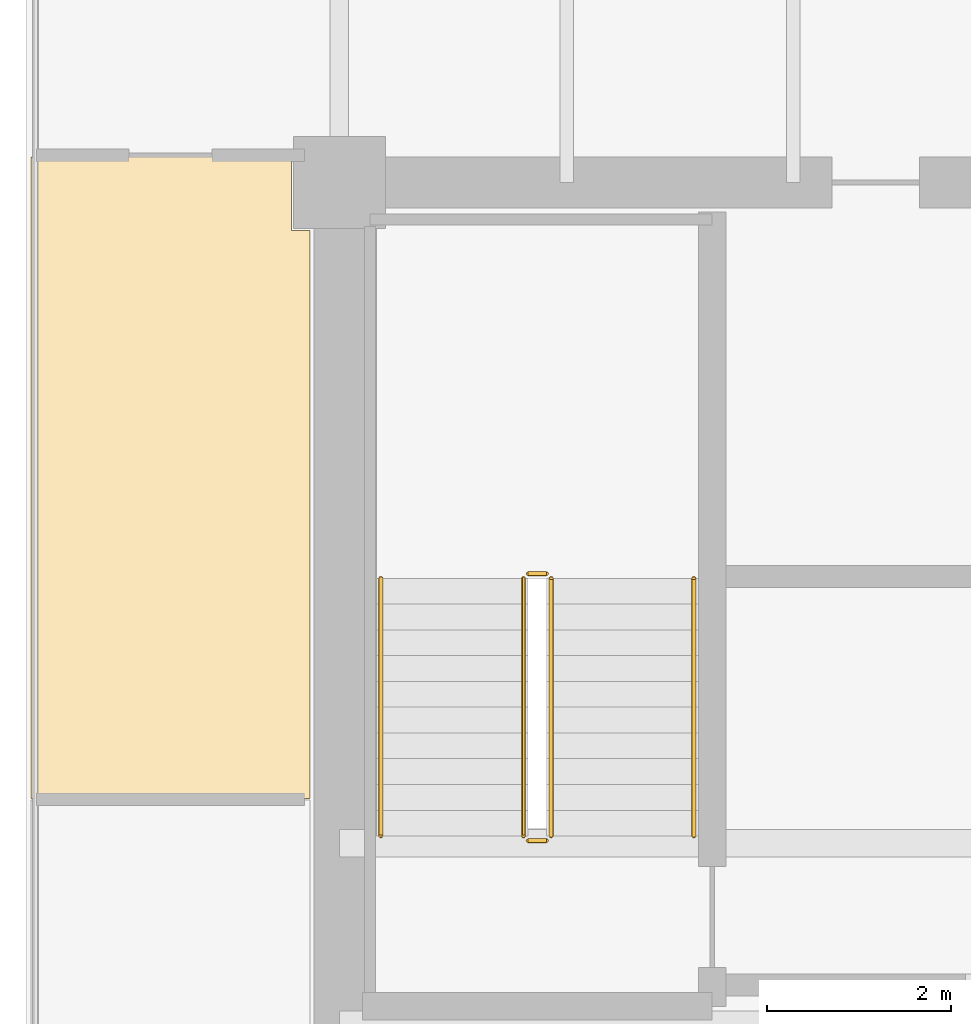
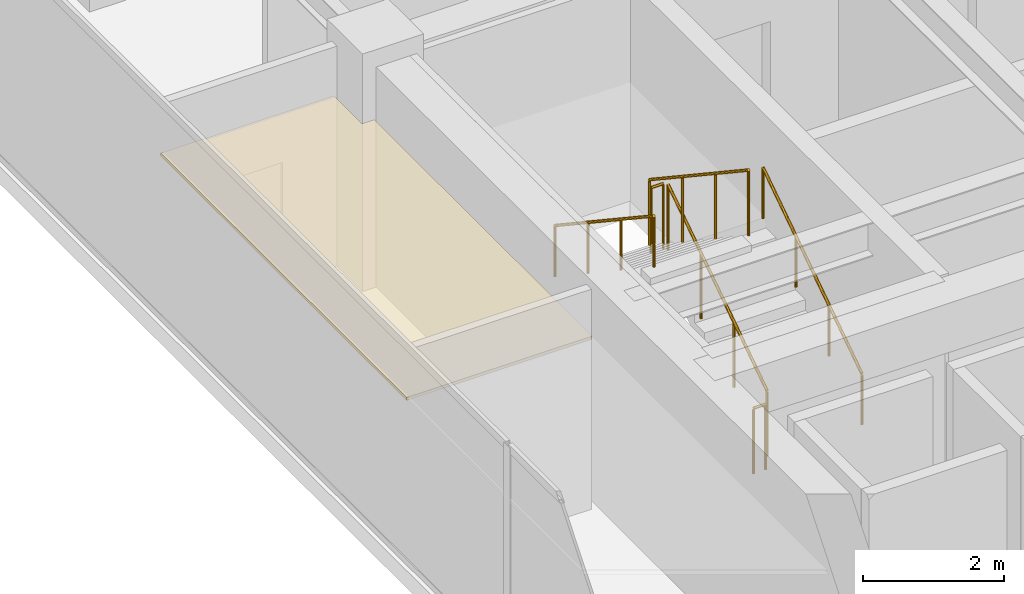
# One storey, part 33 of 35: 6 railings, 1 covering.
"""IFC4 building model written with IfcOpenShell, lengths in metres."""

from ifc_helpers import new_model, si_unit, direction, frame, origin, origin_2d, place, context, subcontext, project, spatial, polyline, circle, outline, extrude, source, transform, mapped, material, layer, layer_set, type_object, type_shapes, element, save


model = new_model("IFC4")

# Units and contexts
model_context = context("Model", 3, precision=1e-05, world=origin(), true_north=direction((0.0, 1.0)))
body_context = subcontext(model_context, "Body", "Model", "MODEL_VIEW")
ifc_project = project(units=[si_unit("LENGTHUNIT", "METRE"), si_unit("AREAUNIT", "SQUARE_METRE"), si_unit("VOLUMEUNIT", "CUBIC_METRE"), si_unit("PLANEANGLEUNIT", "RADIAN"), si_unit("MASSUNIT", "GRAM", prefix="KILO")], contexts=[model_context])

# Site, building, storey
site_placement = place(None, origin())
site = spatial("IfcSite", under=ifc_project, at=site_placement, CompositionType="ELEMENT")
building_placement = place(site_placement, origin())
building = spatial("IfcBuilding", under=site, at=building_placement, Name="Haelvirn Gate Laboratories", CompositionType="ELEMENT")
storey_placement = place(building_placement, frame((0.0, 0.0, 221.89990234375)))
storey = spatial("IfcBuildingStorey", under=building, at=storey_placement, Name="L53", CompositionType="ELEMENT", Elevation=221.89990234375)

# Covering
ifc_material_1 = material(Name="Washable cleanroom gasketed aluminium ceiling", Category="aluminium")
ifc_layer = layer(ifc_material_1, 0.050048828125, Name="COV-CEIL-CLN")
ifc_layer_set = layer_set([ifc_layer], Name="Washable cleanroom gasketed aluminium ceiling")
covering_type = type_object("IfcCoveringType", Name="COV-CEIL-CLN", PredefinedType="CEILING", material=ifc_layer_set)
covering_placement = place(storey_placement, frame((0.0, 0.0, 2.8701171875)))
element("IfcCovering", 1, at=covering_placement, inside=storey, type_object=covering_type, Name="L53 Laboratory Acoustic Ceiling CEIL-SP-L53-WZ3-N", PredefinedType="CEILING", context=body_context, shape_type="SweptSolid", body=[
    extrude(outline(polyline([(6.8798828125, 34.074951171875), (6.8798828125, 33.280029296875), (7.080078125, 33.280029296875), (7.080078125, 27.110107421875), (4.050048828125, 27.110107421875), (4.050048828125, 34.074951171875), (6.8798828125, 34.074951171875)])), origin(), (0.0, 0.0, 1.0), 0.050048828125),
])

# Railings
ifc_material_2 = material(Name="Galvanised steel SM355 & stainless top rail", Category="steel")
railing_type_1 = type_object("IfcRailingType", Name="RL-GUARD-1150", PredefinedType="GUARDRAIL", material=ifc_material_2)
shared_shape_1 = source(origin(), body_context, "Body", "SweptSolid", [
    extrude(circle(Radius=0.02392578125, at=origin_2d()), frame((0.0, 0.0, 1.1259765625), z_axis=(-1.0, 0.0, 0.0), x_axis=(0.0, -1.0, 0.0)), (0.0, 0.0, 1.0), 0.199951171875),
    extrude(circle(Radius=0.02099609375, at=origin_2d()), origin(), (0.0, 0.0, 1.0), 1.101806640625),
    extrude(circle(Radius=0.02099609375, at=origin_2d()), frame((-0.199951171875, 0.0, 0.0)), (0.0, 0.0, 1.0), 1.101806640625),
])
for number, where, name in (
    (2, (9.64990234375, 29.550048828125, 2.050048828125), "L53 ST1 stair guard 2"),
    (3, (9.64990234375, 26.64990234375, 0.0), "L53 ST1 stair guard 4"),
):
    element("IfcRailing", number, at=place(storey_placement, frame(where)), inside=storey, type_object=railing_type_1, Name=name, PredefinedType="GUARDRAIL", context=body_context, shape_type="MappedRepresentation", body=[
        mapped(shared_shape_1, transform((0.0, 0.0, 0.0), scale=1.0)),
    ])
shared_shape_2 = source(origin(), body_context, "Body", "SweptSolid", [
    extrude(circle(Radius=0.02392578125, at=origin_2d()), frame((0.0, 0.0, 1.1259765625), z_axis=(0.0, 0.832485552168, 0.554046753832), x_axis=(-1.0, 0.0, 0.0)), (0.0, 0.0, 1.0), 3.363525390625),
    extrude(circle(Radius=0.02099609375, at=origin_2d()), origin(), (0.0, 0.0, 1.0), 1.101806640625),
    extrude(circle(Radius=0.02099609375, at=origin_2d()), frame((0.0, 0.933349609375, 0.62109375)), (0.0, 0.0, 1.0), 1.101806640625),
    extrude(circle(Radius=0.02099609375, at=origin_2d()), frame((0.0, 1.86669921875, 1.242431640625)), (0.0, 0.0, 1.0), 1.101806640625),
    extrude(circle(Radius=0.02099609375, at=origin_2d()), frame((0.0, 2.800048828125, 1.863525390625)), (0.0, 0.0, 1.0), 1.101806640625),
])
railing_1_placement = place(storey_placement, frame((9.699951171875, 26.699951171875, 0.1865234375)))
element("IfcRailing", 4, at=railing_1_placement, inside=storey, type_object=railing_type_1, Name="L53 ST1 stair guard 1", PredefinedType="GUARDRAIL", context=body_context, shape_type="MappedRepresentation", body=[
    mapped(shared_shape_2, transform((0.0, 0.0, 0.0), scale=1.0)),
])
ifc_material_3 = material(Name="Brushed stainless steel 316L", Category="steel")
railing_type_2 = type_object("IfcRailingType", Name="RL-HAND-920", PredefinedType="HANDRAIL", material=ifc_material_3)
shared_shape_3 = source(origin(), body_context, "Body", "SweptSolid", [
    extrude(circle(Radius=0.02392578125, at=origin_2d()), frame((0.0, 0.0, 0.8759765625), z_axis=(0.0, 0.832485552168, 0.554046753832), x_axis=(-1.0, 0.0, 0.0)), (0.0, 0.0, 1.0), 3.363525390625),
    extrude(circle(Radius=0.02099609375, at=origin_2d()), origin(), (0.0, 0.0, 1.0), 0.851806640625),
    extrude(circle(Radius=0.02099609375, at=origin_2d()), frame((0.0, 0.933349609375, 0.62109375)), (0.0, 0.0, 1.0), 0.851806640625),
    extrude(circle(Radius=0.02099609375, at=origin_2d()), frame((0.0, 1.86669921875, 1.242431640625)), (0.0, 0.0, 1.0), 0.851806640625),
    extrude(circle(Radius=0.02099609375, at=origin_2d()), frame((0.0, 2.800048828125, 1.863525390625)), (0.0, 0.0, 1.0), 0.851806640625),
])
railing_2_placement = place(storey_placement, frame((11.25, 26.699951171875, 0.1865234375)))
element("IfcRailing", 5, at=railing_2_placement, inside=storey, type_object=railing_type_2, Name="L53 ST1 stair handrail 1", PredefinedType="HANDRAIL", context=body_context, shape_type="MappedRepresentation", body=[
    mapped(shared_shape_3, transform((0.0, 0.0, 0.0), scale=1.0)),
])
shared_shape_4 = source(origin(), body_context, "Body", "SweptSolid", [
    extrude(circle(Radius=0.02392578125, at=origin_2d()), frame((0.0, 0.0, 1.1259765625), z_axis=(0.0, -0.832485552168, 0.554046753832), x_axis=(1.0, 0.0, 0.0)), (0.0, 0.0, 1.0), 3.363525390625),
    extrude(circle(Radius=0.02099609375, at=origin_2d()), origin(), (0.0, 0.0, 1.0), 1.101806640625),
    extrude(circle(Radius=0.02099609375, at=origin_2d()), frame((0.0, -0.933349609375, 0.62109375)), (0.0, 0.0, 1.0), 1.101806640625),
    extrude(circle(Radius=0.02099609375, at=origin_2d()), frame((0.0, -1.86669921875, 1.242431640625)), (0.0, 0.0, 1.0), 1.101806640625),
    extrude(circle(Radius=0.02099609375, at=origin_2d()), frame((0.0, -2.800048828125, 1.863525390625)), (0.0, 0.0, 1.0), 1.101806640625),
])
type_shapes(railing_type_1, [shared_shape_1, shared_shape_2, shared_shape_4])
railing_3_placement = place(storey_placement, frame((9.39990234375, 29.5, 2.236572265625)))
element("IfcRailing", 6, at=railing_3_placement, inside=storey, type_object=railing_type_1, Name="L53 ST1 stair guard 3", PredefinedType="GUARDRAIL", context=body_context, shape_type="MappedRepresentation", body=[
    mapped(shared_shape_4, transform((0.0, 0.0, 0.0), scale=1.0)),
])
shared_shape_5 = source(origin(), body_context, "Body", "SweptSolid", [
    extrude(circle(Radius=0.02392578125, at=origin_2d()), frame((0.0, 0.0, 0.8759765625), z_axis=(0.0, -0.832485552168, 0.554046753832), x_axis=(1.0, 0.0, 0.0)), (0.0, 0.0, 1.0), 3.363525390625),
    extrude(circle(Radius=0.02099609375, at=origin_2d()), origin(), (0.0, 0.0, 1.0), 0.851806640625),
    extrude(circle(Radius=0.02099609375, at=origin_2d()), frame((0.0, -0.933349609375, 0.62109375)), (0.0, 0.0, 1.0), 0.851806640625),
    extrude(circle(Radius=0.02099609375, at=origin_2d()), frame((0.0, -1.86669921875, 1.242431640625)), (0.0, 0.0, 1.0), 0.851806640625),
    extrude(circle(Radius=0.02099609375, at=origin_2d()), frame((0.0, -2.800048828125, 1.863525390625)), (0.0, 0.0, 1.0), 0.851806640625),
])
type_shapes(railing_type_2, [shared_shape_3, shared_shape_5])
railing_4_placement = place(storey_placement, frame((7.85009765625, 29.5, 2.236572265625)))
element("IfcRailing", 7, at=railing_4_placement, inside=storey, type_object=railing_type_2, Name="L53 ST1 stair handrail 2", PredefinedType="HANDRAIL", context=body_context, shape_type="MappedRepresentation", body=[
    mapped(shared_shape_5, transform((0.0, 0.0, 0.0), scale=1.0)),
])

save(model, "model.ifc")
